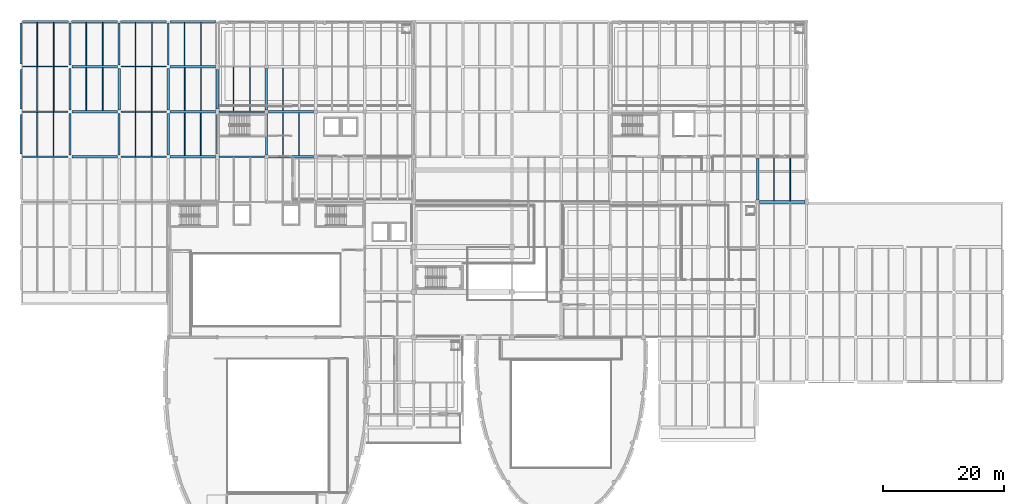
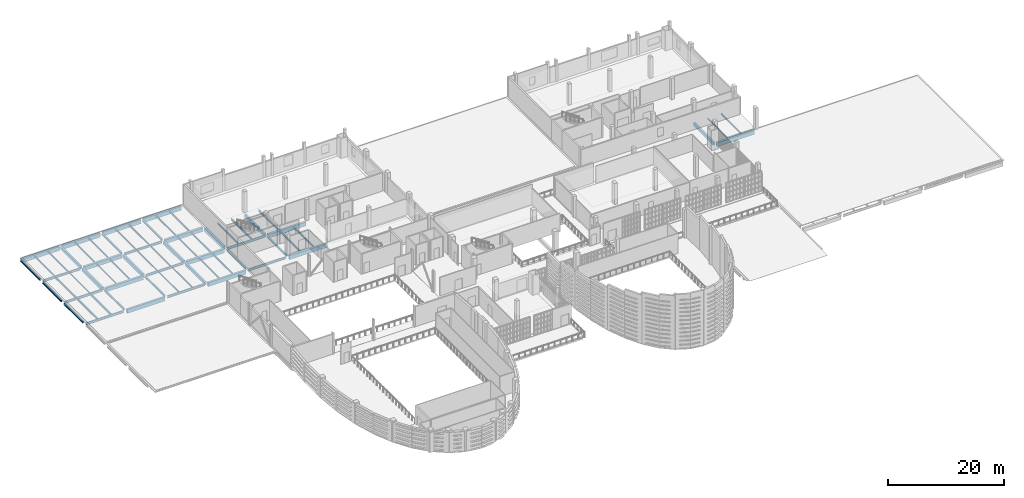
# One storey, part 31 of 73: 67 beams.
"""IFC4 building model written with IfcOpenShell, lengths in metres."""

from ifc_helpers import new_model, si_unit, direction, frame, origin, origin_2d, place, context, subcontext, project, spatial, rectangle, i_section, extrude, material, material_profile, profile_set, type_object, element, save


model = new_model("IFC4")

# Units and contexts
model_context = context("Model", 3, precision=1e-05, world=origin(), true_north=direction((0.0, 1.0)))
body_context = subcontext(model_context, "Body", "Model", "MODEL_VIEW")
ifc_project = project(units=[si_unit("LENGTHUNIT", "METRE"), si_unit("AREAUNIT", "SQUARE_METRE"), si_unit("VOLUMEUNIT", "CUBIC_METRE"), si_unit("PLANEANGLEUNIT", "RADIAN"), si_unit("MASSUNIT", "GRAM", prefix="KILO")], contexts=[model_context])

# Site, building, storey
site_placement = place(None, origin())
site = spatial("IfcSite", under=ifc_project, at=site_placement, CompositionType="ELEMENT")
building_placement = place(site_placement, origin())
building = spatial("IfcBuilding", under=site, at=building_placement, Name="Kaelora Sail Theatre", CompositionType="ELEMENT")
storey_placement = place(building_placement, frame((0.0, 0.0, 10.199951171875)))
storey = spatial("IfcBuildingStorey", under=building, at=storey_placement, Name="L02", CompositionType="ELEMENT", Elevation=10.199951171875)

# Beams
ifc_material_1 = material(Name="Steel S355", Category="steel")
ifc_material_profile_1 = material_profile(ifc_material_1, i_section(OverallWidth=0.300048828125, OverallDepth=0.31005859375, WebThickness=0.009033203125, FlangeThickness=0.015380859375, FilletRadius=0.027099609375, at=origin_2d()), Name="HEA 320")
ifc_profile_set_1 = profile_set([ifc_material_profile_1], Name="Steel S355")
beam_type_1 = type_object("IfcBeamType", Name="STR-BM-BM-HEA320", PredefinedType="BEAM", material=ifc_profile_set_1)
for number, where, z_axis, x_axis, name in (
    (1, (9.60009765625, 91.080078125, -0.449951171875), (0.0, 1.0, 0.0), (-1.0, 0.0, 0.0), "Primary beam 2 M-N (L02)"),
    (2, (17.699951171875, 91.080078125, -0.449951171875), (0.0, 1.0, 0.0), (-1.0, 0.0, 0.0), "Primary beam 3 M-N (L02)"),
):
    element("IfcBeam", number, at=place(storey_placement, frame(where, z_axis=z_axis, x_axis=x_axis)), inside=storey, type_object=beam_type_1, Name=name, PredefinedType="BEAM", context=body_context, shape_type="SweptSolid", body=[
        extrude(i_section(OverallWidth=0.300048828125, OverallDepth=0.31005859375, WebThickness=0.009033203125, FlangeThickness=0.015380859375, FilletRadius=0.027099609375, at=origin_2d()), origin(), (0.0, 0.0, 1.0), 6.83984375),
    ])
for number, where, z_axis, x_axis, name in (
    (3, (17.699951171875, 105.9599609375, -0.449951171875), (0.0, 1.0, 0.0), (-1.0, 0.0, 0.0), "Primary beam 3 O-P (L02)"),
    (4, (25.800048828125, 105.9599609375, -0.449951171875), (0.0, 1.0, 0.0), (-1.0, 0.0, 0.0), "Primary beam 4 O-P (L02)"),
):
    element("IfcBeam", number, at=place(storey_placement, frame(where, z_axis=z_axis, x_axis=x_axis)), inside=storey, type_object=beam_type_1, Name=name, PredefinedType="BEAM", context=body_context, shape_type="SweptSolid", body=[
        extrude(i_section(OverallWidth=0.300048828125, OverallDepth=0.31005859375, WebThickness=0.009033203125, FlangeThickness=0.015380859375, FilletRadius=0.027099609375, at=origin_2d()), origin(), (0.0, 0.0, 1.0), 6.89013671875),
    ])
beam_1_placement = place(storey_placement, frame((33.89990234375, 91.22998046875, -0.449951171875), z_axis=(0.0, 1.0, 0.0), x_axis=(-1.0, 0.0, 0.0)))
element("IfcBeam", 5, at=beam_1_placement, inside=storey, type_object=beam_type_1, Name="Primary beam 5 M-N (L02)", PredefinedType="BEAM", context=body_context, shape_type="SweptSolid", body=[
    extrude(i_section(OverallWidth=0.300048828125, OverallDepth=0.31005859375, WebThickness=0.009033203125, FlangeThickness=0.015380859375, FilletRadius=0.027099609375, at=origin_2d()), origin(), (0.0, 0.0, 1.0), 6.5400390625),
])
beam_2_placement = place(storey_placement, frame((42.0, 91.080078125, -0.449951171875), z_axis=(0.0, 1.0, 0.0), x_axis=(-1.0, 0.0, 0.0)))
element("IfcBeam", 6, at=beam_2_placement, inside=storey, type_object=beam_type_1, Name="Primary beam 6 M-N (L02)", PredefinedType="BEAM", context=body_context, shape_type="SweptSolid", body=[
    extrude(i_section(OverallWidth=0.300048828125, OverallDepth=0.31005859375, WebThickness=0.009033203125, FlangeThickness=0.015380859375, FilletRadius=0.027099609375, at=origin_2d()), origin(), (0.0, 0.0, 1.0), 6.83984375),
])
ifc_material_2 = material(Name="Steel S355", Category="steel")
ifc_material_profile_2 = material_profile(ifc_material_2, i_section(OverallWidth=0.18994140625, OverallDepth=0.449951171875, WebThickness=0.009521484375, FlangeThickness=0.0146484375, FilletRadius=0.02099609375, at=origin_2d()), Name="IPE 450")
ifc_profile_set_2 = profile_set([ifc_material_profile_2], Name="Steel S355")
beam_type_2 = type_object("IfcBeamType", Name="STR-BM-BM-IPE450", PredefinedType="BEAM", material=ifc_profile_set_2)
beam_3_placement = place(storey_placement, frame((6.89990234375, 90.8798828125, -0.52001953125), z_axis=(0.0, 1.0, 0.0), x_axis=(-1.0, 0.0, 0.0)))
element("IfcBeam", 7, at=beam_3_placement, inside=storey, type_object=beam_type_2, Name="Secondary floor joist 1/M-2 (L02)", PredefinedType="BEAM", context=body_context, shape_type="SweptSolid", body=[
    extrude(i_section(OverallWidth=0.18994140625, OverallDepth=0.449951171875, WebThickness=0.009521484375, FlangeThickness=0.0146484375, FilletRadius=0.02099609375, at=origin_2d()), origin(), (0.0, 0.0, 1.0), 7.240234375),
])
beam_4_placement = place(storey_placement, frame((4.199951171875, 98.320068359375, -0.52001953125), z_axis=(0.0, 1.0, 0.0), x_axis=(-1.0, 0.0, 0.0)))
element("IfcBeam", 8, at=beam_4_placement, inside=storey, type_object=beam_type_2, Name="Secondary floor joist 1/N-1 (L02)", PredefinedType="BEAM", context=body_context, shape_type="SweptSolid", body=[
    extrude(i_section(OverallWidth=0.18994140625, OverallDepth=0.449951171875, WebThickness=0.009521484375, FlangeThickness=0.0146484375, FilletRadius=0.02099609375, at=origin_2d()), origin(), (0.0, 0.0, 1.0), 7.239990234375),
])
ifc_material_3 = material(Name="Steel S355", Category="steel")
ifc_material_profile_3 = material_profile(ifc_material_3, i_section(OverallWidth=0.199951171875, OverallDepth=0.5, WebThickness=0.01025390625, FlangeThickness=0.01611328125, FilletRadius=0.02099609375, at=origin_2d()), Name="IPE 500")
ifc_profile_set_3 = profile_set([ifc_material_profile_3], Name="Steel S355")
beam_type_3 = type_object("IfcBeamType", Name="STR-BM-BM-IPE500", PredefinedType="BEAM", material=ifc_profile_set_3)
for number, where, z_axis, x_axis, name in (
    (9, (1.800048828125, 90.780029296875, -0.544921875), (1.0, 0.0, 0.0), (0.0, 1.0, 0.0), "Primary beam M 1-2 (L02)"),
    (10, (1.800048828125, 98.219970703125, -0.544921875), (1.0, 0.0, 0.0), (0.0, 1.0, 0.0), "Primary beam N 1-2 (L02)"),
    (11, (1.800048828125, 105.659912109375, -0.544921875), (1.0, 0.0, 0.0), (0.0, 1.0, 0.0), "Primary beam O 1-2 (L02)"),
    (12, (18.0, 90.780029296875, -0.544921875), (1.0, 0.0, 0.0), (0.0, 1.0, 0.0), "Primary beam M 3-4 (L02)"),
    (13, (18.0, 98.219970703125, -0.544921875), (1.0, 0.0, 0.0), (0.0, 1.0, 0.0), "Primary beam N 3-4 (L02)"),
    (14, (18.0, 105.659912109375, -0.544921875), (1.0, 0.0, 0.0), (0.0, 1.0, 0.0), "Primary beam O 3-4 (L02)"),
    (15, (34.199951171875, 90.780029296875, -0.544921875), (1.0, 0.0, 0.0), (0.0, 1.0, 0.0), "Primary beam M 5-6 (L02)"),
    (16, (34.199951171875, 98.219970703125, -0.544921875), (1.0, 0.0, 0.0), (0.0, 1.0, 0.0), "Primary beam N 5-6 (L02)"),
):
    element("IfcBeam", number, at=place(storey_placement, frame(where, z_axis=z_axis, x_axis=x_axis)), inside=storey, type_object=beam_type_3, Name=name, PredefinedType="BEAM", context=body_context, shape_type="SweptSolid", body=[
        extrude(i_section(OverallWidth=0.199951171875, OverallDepth=0.5, WebThickness=0.01025390625, FlangeThickness=0.01611328125, FilletRadius=0.02099609375, at=origin_2d()), origin(), (0.0, 0.0, 1.0), 7.5),
    ])
ifc_material_4 = material(Name="Concrete C40/50", Category="concrete")
ifc_material_profile_4 = material_profile(ifc_material_4, rectangle(XDim=0.35009765625, YDim=0.60009765625, at=origin_2d()), Name="RC-BM 350x600")
ifc_profile_set_4 = profile_set([ifc_material_profile_4], Name="Concrete C40/50")
beam_type_4 = type_object("IfcBeamType", Name="STR-BM-BM-RC3560", PredefinedType="BEAM", material=ifc_profile_set_4)
beam_5_placement = place(storey_placement, frame((9.60009765625, 105.9599609375, -0.594970703125), z_axis=(0.0, 1.0, 0.0), x_axis=(-1.0, 0.0, 0.0)))
element("IfcBeam", 17, at=beam_5_placement, inside=storey, type_object=beam_type_4, Name="Primary beam 2 O-P (L02)", PredefinedType="BEAM", context=body_context, shape_type="SweptSolid", body=[
    extrude(rectangle(XDim=0.35009765625, YDim=0.60009765625, at=origin_2d()), origin(), (0.0, 0.0, 1.0), 6.89013671875),
])
beam_6_placement = place(storey_placement, frame((25.800048828125, 91.080078125, -0.594970703125), z_axis=(0.0, 1.0, 0.0), x_axis=(-1.0, 0.0, 0.0)))
element("IfcBeam", 18, at=beam_6_placement, inside=storey, type_object=beam_type_4, Name="Primary beam 4 M-N (L02)", PredefinedType="BEAM", context=body_context, shape_type="SweptSolid", body=[
    extrude(rectangle(XDim=0.35009765625, YDim=0.60009765625, at=origin_2d()), origin(), (0.0, 0.0, 1.0), 6.83984375),
])
ifc_material_5 = material(Name="Concrete C40/50", Category="concrete")
ifc_material_profile_5 = material_profile(ifc_material_5, rectangle(XDim=0.39990234375, YDim=0.64990234375, at=origin_2d()), Name="RC-BM 400x650")
ifc_profile_set_5 = profile_set([ifc_material_profile_5], Name="Concrete C40/50")
beam_type_5 = type_object("IfcBeamType", Name="STR-BM-BM-RC4065", PredefinedType="BEAM", material=ifc_profile_set_5)
for number, where, z_axis, x_axis, name in (
    (19, (9.60009765625, 98.52001953125, -0.619873046875), (0.0, 1.0, 0.0), (-1.0, 0.0, 0.0), "Primary beam 2 N-O (L02)"),
    (20, (17.699951171875, 98.52001953125, -0.619873046875), (0.0, 1.0, 0.0), (-1.0, 0.0, 0.0), "Primary beam 3 N-O (L02)"),
    (21, (25.800048828125, 98.52001953125, -0.619873046875), (0.0, 1.0, 0.0), (-1.0, 0.0, 0.0), "Primary beam 4 N-O (L02)"),
):
    element("IfcBeam", number, at=place(storey_placement, frame(where, z_axis=z_axis, x_axis=x_axis)), inside=storey, type_object=beam_type_5, Name=name, PredefinedType="BEAM", context=body_context, shape_type="SweptSolid", body=[
        extrude(rectangle(XDim=0.39990234375, YDim=0.64990234375, at=origin_2d()), origin(), (0.0, 0.0, 1.0), 6.840087890625),
    ])
beam_7_placement = place(storey_placement, frame((33.89990234375, 98.669921875, -0.619873046875), z_axis=(0.0, 1.0, 0.0), x_axis=(-1.0, 0.0, 0.0)))
element("IfcBeam", 22, at=beam_7_placement, inside=storey, type_object=beam_type_5, Name="Primary beam 5 N-O (L02)", PredefinedType="BEAM", context=body_context, shape_type="SweptSolid", body=[
    extrude(rectangle(XDim=0.39990234375, YDim=0.64990234375, at=origin_2d()), origin(), (0.0, 0.0, 1.0), 6.5400390625),
])
for number, where, z_axis, x_axis, name in (
    (23, (42.0, 98.52001953125, -0.619873046875), (0.0, 1.0, 0.0), (-1.0, 0.0, 0.0), "Primary beam 6 N-O (L02)"),
    (24, (123.0, 83.639892578125, -0.619873046875), (0.0, 1.0, 0.0), (-1.0, 0.0, 0.0), "Primary beam 16 L-M (L02)"),
):
    element("IfcBeam", number, at=place(storey_placement, frame(where, z_axis=z_axis, x_axis=x_axis)), inside=storey, type_object=beam_type_5, Name=name, PredefinedType="BEAM", context=body_context, shape_type="SweptSolid", body=[
        extrude(rectangle(XDim=0.39990234375, YDim=0.64990234375, at=origin_2d()), origin(), (0.0, 0.0, 1.0), 6.840087890625),
    ])
ifc_material_6 = material(Name="Concrete C45/55", Category="concrete")
ifc_material_profile_6 = material_profile(ifc_material_6, rectangle(XDim=0.449951171875, YDim=0.800048828125, at=origin_2d()), Name="RC-BM 450x800")
ifc_profile_set_6 = profile_set([ifc_material_profile_6], Name="Concrete C45/55")
beam_type_6 = type_object("IfcBeamType", Name="STR-BM-BM-RC4580", PredefinedType="BEAM", material=ifc_profile_set_6)
for number, where, z_axis, x_axis, name in (
    (25, (9.89990234375, 90.780029296875, -0.695068359375), (1.0, 0.0, 0.0), (0.0, 1.0, 0.0), "Primary beam M 2-3 (L02)"),
    (26, (9.89990234375, 98.219970703125, -0.695068359375), (1.0, 0.0, 0.0), (0.0, 1.0, 0.0), "Primary beam N 2-3 (L02)"),
    (27, (9.89990234375, 105.659912109375, -0.695068359375), (1.0, 0.0, 0.0), (0.0, 1.0, 0.0), "Primary beam O 2-3 (L02)"),
    (28, (26.10009765625, 90.780029296875, -0.695068359375), (1.0, 0.0, 0.0), (0.0, 1.0, 0.0), "Primary beam M 4-5 (L02)"),
    (29, (26.10009765625, 98.219970703125, -0.695068359375), (1.0, 0.0, 0.0), (0.0, 1.0, 0.0), "Primary beam N 4-5 (L02)"),
    (30, (26.10009765625, 105.659912109375, -0.695068359375), (1.0, 0.0, 0.0), (0.0, 1.0, 0.0), "Primary beam O 4-5 (L02)"),
    (31, (42.300048828125, 90.780029296875, -0.695068359375), (1.0, 0.0, 0.0), (0.0, 1.0, 0.0), "Primary beam M 6-7 (L02)"),
    (32, (42.300048828125, 98.219970703125, -0.695068359375), (1.0, 0.0, 0.0), (0.0, 1.0, 0.0), "Primary beam N 6-7 (L02)"),
    (33, (123.300048828125, 83.340087890625, -0.695068359375), (1.0, 0.0, 0.0), (0.0, 1.0, 0.0), "Primary beam L 16-17 (L02)"),
):
    element("IfcBeam", number, at=place(storey_placement, frame(where, z_axis=z_axis, x_axis=x_axis)), inside=storey, type_object=beam_type_6, Name=name, PredefinedType="BEAM", context=body_context, shape_type="SweptSolid", body=[
        extrude(rectangle(XDim=0.449951171875, YDim=0.800048828125, at=origin_2d()), origin(), (0.0, 0.0, 1.0), 7.5),
    ])
ifc_material_7 = material(Name="Steel S355", Category="steel")
ifc_material_profile_7 = material_profile(ifc_material_7, i_section(OverallWidth=0.135009765625, OverallDepth=0.27001953125, WebThickness=0.006591796875, FlangeThickness=0.01025390625, FilletRadius=0.014892578125, at=origin_2d()), Name="IPE 270")
ifc_profile_set_7 = profile_set([ifc_material_profile_7], Name="Steel S355")
beam_type_7 = type_object("IfcBeamType", Name="STR-BM-JS-IPE270", PredefinedType="JOIST", material=ifc_profile_set_7)
beam_8_placement = place(storey_placement, frame((6.89990234375, 98.320068359375, -0.429931640625), z_axis=(0.0, 1.0, 0.0), x_axis=(-1.0, 0.0, 0.0)))
element("IfcBeam", 34, at=beam_8_placement, inside=storey, type_object=beam_type_7, Name="Secondary floor joist 1/N-2 (L02)", PredefinedType="JOIST", context=body_context, shape_type="SweptSolid", body=[
    extrude(i_section(OverallWidth=0.135009765625, OverallDepth=0.27001953125, WebThickness=0.006591796875, FlangeThickness=0.01025390625, FilletRadius=0.014892578125, at=origin_2d()), origin(), (0.0, 0.0, 1.0), 7.239990234375),
])
beam_9_placement = place(storey_placement, frame((4.199951171875, 105.760009765625, -0.429931640625), z_axis=(0.0, 1.0, 0.0), x_axis=(-1.0, 0.0, 0.0)))
element("IfcBeam", 35, at=beam_9_placement, inside=storey, type_object=beam_type_7, Name="Secondary floor joist 1/O-1 (L02)", PredefinedType="JOIST", context=body_context, shape_type="SweptSolid", body=[
    extrude(i_section(OverallWidth=0.135009765625, OverallDepth=0.27001953125, WebThickness=0.006591796875, FlangeThickness=0.01025390625, FilletRadius=0.014892578125, at=origin_2d()), origin(), (0.0, 0.0, 1.0), 7.139892578125),
])
beam_10_placement = place(storey_placement, frame((12.300048828125, 98.445068359375, -0.429931640625), z_axis=(0.0, 1.0, 0.0), x_axis=(-1.0, 0.0, 0.0)))
element("IfcBeam", 36, at=beam_10_placement, inside=storey, type_object=beam_type_7, Name="Secondary floor joist 2/N-1 (L02)", PredefinedType="JOIST", context=body_context, shape_type="SweptSolid", body=[
    extrude(i_section(OverallWidth=0.135009765625, OverallDepth=0.27001953125, WebThickness=0.006591796875, FlangeThickness=0.01025390625, FilletRadius=0.014892578125, at=origin_2d()), origin(), (0.0, 0.0, 1.0), 6.989990234375),
])
beam_11_placement = place(storey_placement, frame((20.39990234375, 90.8798828125, -0.429931640625), z_axis=(0.0, 1.0, 0.0), x_axis=(-1.0, 0.0, 0.0)))
element("IfcBeam", 37, at=beam_11_placement, inside=storey, type_object=beam_type_7, Name="Secondary floor joist 3/M-1 (L02)", PredefinedType="JOIST", context=body_context, shape_type="SweptSolid", body=[
    extrude(i_section(OverallWidth=0.135009765625, OverallDepth=0.27001953125, WebThickness=0.006591796875, FlangeThickness=0.01025390625, FilletRadius=0.014892578125, at=origin_2d()), origin(), (0.0, 0.0, 1.0), 7.240234375),
])
beam_12_placement = place(storey_placement, frame((125.699951171875, 83.56494140625, -0.429931640625), z_axis=(0.0, 1.0, 0.0), x_axis=(-1.0, 0.0, 0.0)))
element("IfcBeam", 38, at=beam_12_placement, inside=storey, type_object=beam_type_7, Name="Secondary floor joist 16/L-1 (L02)", PredefinedType="JOIST", context=body_context, shape_type="SweptSolid", body=[
    extrude(i_section(OverallWidth=0.135009765625, OverallDepth=0.27001953125, WebThickness=0.006591796875, FlangeThickness=0.01025390625, FilletRadius=0.014892578125, at=origin_2d()), origin(), (0.0, 0.0, 1.0), 6.989990234375),
])
ifc_material_8 = material(Name="Steel S355", Category="steel")
ifc_material_profile_8 = material_profile(ifc_material_8, i_section(OverallWidth=0.14990234375, OverallDepth=0.300048828125, WebThickness=0.007080078125, FlangeThickness=0.0107421875, FilletRadius=0.014892578125, at=origin_2d()), Name="IPE 300")
ifc_profile_set_8 = profile_set([ifc_material_profile_8], Name="Steel S355")
beam_type_8 = type_object("IfcBeamType", Name="STR-BM-JS-IPE300", PredefinedType="JOIST", material=ifc_profile_set_8)
beam_13_placement = place(storey_placement, frame((6.89990234375, 105.760009765625, -0.445068359375), z_axis=(0.0, 1.0, 0.0), x_axis=(-1.0, 0.0, 0.0)))
element("IfcBeam", 39, at=beam_13_placement, inside=storey, type_object=beam_type_8, Name="Secondary floor joist 1/O-2 (L02)", PredefinedType="JOIST", context=body_context, shape_type="SweptSolid", body=[
    extrude(i_section(OverallWidth=0.14990234375, OverallDepth=0.300048828125, WebThickness=0.007080078125, FlangeThickness=0.0107421875, FilletRadius=0.014892578125, at=origin_2d()), origin(), (0.0, 0.0, 1.0), 7.139892578125),
])
beam_14_placement = place(storey_placement, frame((15.0, 98.445068359375, -0.445068359375), z_axis=(0.0, 1.0, 0.0), x_axis=(-1.0, 0.0, 0.0)))
element("IfcBeam", 40, at=beam_14_placement, inside=storey, type_object=beam_type_8, Name="Secondary floor joist 2/N-2 (L02)", PredefinedType="JOIST", context=body_context, shape_type="SweptSolid", body=[
    extrude(i_section(OverallWidth=0.14990234375, OverallDepth=0.300048828125, WebThickness=0.007080078125, FlangeThickness=0.0107421875, FilletRadius=0.014892578125, at=origin_2d()), origin(), (0.0, 0.0, 1.0), 6.989990234375),
])
beam_15_placement = place(storey_placement, frame((12.300048828125, 105.885009765625, -0.445068359375), z_axis=(0.0, 1.0, 0.0), x_axis=(-1.0, 0.0, 0.0)))
element("IfcBeam", 41, at=beam_15_placement, inside=storey, type_object=beam_type_8, Name="Secondary floor joist 2/O-1 (L02)", PredefinedType="JOIST", context=body_context, shape_type="SweptSolid", body=[
    extrude(i_section(OverallWidth=0.14990234375, OverallDepth=0.300048828125, WebThickness=0.007080078125, FlangeThickness=0.0107421875, FilletRadius=0.014892578125, at=origin_2d()), origin(), (0.0, 0.0, 1.0), 7.014892578125),
])
beam_16_placement = place(storey_placement, frame((23.10009765625, 90.8798828125, -0.445068359375), z_axis=(0.0, 1.0, 0.0), x_axis=(-1.0, 0.0, 0.0)))
element("IfcBeam", 42, at=beam_16_placement, inside=storey, type_object=beam_type_8, Name="Secondary floor joist 3/M-2 (L02)", PredefinedType="JOIST", context=body_context, shape_type="SweptSolid", body=[
    extrude(i_section(OverallWidth=0.14990234375, OverallDepth=0.300048828125, WebThickness=0.007080078125, FlangeThickness=0.0107421875, FilletRadius=0.014892578125, at=origin_2d()), origin(), (0.0, 0.0, 1.0), 7.240234375),
])
beam_17_placement = place(storey_placement, frame((20.39990234375, 98.320068359375, -0.445068359375), z_axis=(0.0, 1.0, 0.0), x_axis=(-1.0, 0.0, 0.0)))
element("IfcBeam", 43, at=beam_17_placement, inside=storey, type_object=beam_type_8, Name="Secondary floor joist 3/N-1 (L02)", PredefinedType="JOIST", context=body_context, shape_type="SweptSolid", body=[
    extrude(i_section(OverallWidth=0.14990234375, OverallDepth=0.300048828125, WebThickness=0.007080078125, FlangeThickness=0.0107421875, FilletRadius=0.014892578125, at=origin_2d()), origin(), (0.0, 0.0, 1.0), 7.239990234375),
])
beam_18_placement = place(storey_placement, frame((28.5, 91.0048828125, -0.445068359375), z_axis=(0.0, 1.0, 0.0), x_axis=(-1.0, 0.0, 0.0)))
element("IfcBeam", 44, at=beam_18_placement, inside=storey, type_object=beam_type_8, Name="Secondary floor joist 4/M-1 (L02)", PredefinedType="JOIST", context=body_context, shape_type="SweptSolid", body=[
    extrude(i_section(OverallWidth=0.14990234375, OverallDepth=0.300048828125, WebThickness=0.007080078125, FlangeThickness=0.0107421875, FilletRadius=0.014892578125, at=origin_2d()), origin(), (0.0, 0.0, 1.0), 6.990234375),
])
beam_19_placement = place(storey_placement, frame((128.39990234375, 83.56494140625, -0.445068359375), z_axis=(0.0, 1.0, 0.0), x_axis=(-1.0, 0.0, 0.0)))
element("IfcBeam", 45, at=beam_19_placement, inside=storey, type_object=beam_type_8, Name="Secondary floor joist 16/L-2 (L02)", PredefinedType="JOIST", context=body_context, shape_type="SweptSolid", body=[
    extrude(i_section(OverallWidth=0.14990234375, OverallDepth=0.300048828125, WebThickness=0.007080078125, FlangeThickness=0.0107421875, FilletRadius=0.014892578125, at=origin_2d()), origin(), (0.0, 0.0, 1.0), 6.989990234375),
])
ifc_material_9 = material(Name="Steel S355", Category="steel")
ifc_material_profile_9 = material_profile(ifc_material_9, i_section(OverallWidth=0.159912109375, OverallDepth=0.330078125, WebThickness=0.007568359375, FlangeThickness=0.011474609375, FilletRadius=0.01806640625, at=origin_2d()), Name="IPE 330")
ifc_profile_set_9 = profile_set([ifc_material_profile_9], Name="Steel S355")
beam_type_9 = type_object("IfcBeamType", Name="STR-BM-JS-IPE330", PredefinedType="JOIST", material=ifc_profile_set_9)
beam_20_placement = place(storey_placement, frame((15.0, 105.885009765625, -0.4599609375), z_axis=(0.0, 1.0, 0.0), x_axis=(-1.0, 0.0, 0.0)))
element("IfcBeam", 46, at=beam_20_placement, inside=storey, type_object=beam_type_9, Name="Secondary floor joist 2/O-2 (L02)", PredefinedType="JOIST", context=body_context, shape_type="SweptSolid", body=[
    extrude(i_section(OverallWidth=0.159912109375, OverallDepth=0.330078125, WebThickness=0.007568359375, FlangeThickness=0.011474609375, FilletRadius=0.01806640625, at=origin_2d()), origin(), (0.0, 0.0, 1.0), 7.014892578125),
])
beam_21_placement = place(storey_placement, frame((23.10009765625, 98.320068359375, -0.4599609375), z_axis=(0.0, 1.0, 0.0), x_axis=(-1.0, 0.0, 0.0)))
element("IfcBeam", 47, at=beam_21_placement, inside=storey, type_object=beam_type_9, Name="Secondary floor joist 3/N-2 (L02)", PredefinedType="JOIST", context=body_context, shape_type="SweptSolid", body=[
    extrude(i_section(OverallWidth=0.159912109375, OverallDepth=0.330078125, WebThickness=0.007568359375, FlangeThickness=0.011474609375, FilletRadius=0.01806640625, at=origin_2d()), origin(), (0.0, 0.0, 1.0), 7.239990234375),
])
beam_22_placement = place(storey_placement, frame((20.39990234375, 105.760009765625, -0.4599609375), z_axis=(0.0, 1.0, 0.0), x_axis=(-1.0, 0.0, 0.0)))
element("IfcBeam", 48, at=beam_22_placement, inside=storey, type_object=beam_type_9, Name="Secondary floor joist 3/O-1 (L02)", PredefinedType="JOIST", context=body_context, shape_type="SweptSolid", body=[
    extrude(i_section(OverallWidth=0.159912109375, OverallDepth=0.330078125, WebThickness=0.007568359375, FlangeThickness=0.011474609375, FilletRadius=0.01806640625, at=origin_2d()), origin(), (0.0, 0.0, 1.0), 7.139892578125),
])
beam_23_placement = place(storey_placement, frame((31.199951171875, 91.0048828125, -0.4599609375), z_axis=(0.0, 1.0, 0.0), x_axis=(-1.0, 0.0, 0.0)))
element("IfcBeam", 49, at=beam_23_placement, inside=storey, type_object=beam_type_9, Name="Secondary floor joist 4/M-2 (L02)", PredefinedType="JOIST", context=body_context, shape_type="SweptSolid", body=[
    extrude(i_section(OverallWidth=0.159912109375, OverallDepth=0.330078125, WebThickness=0.007568359375, FlangeThickness=0.011474609375, FilletRadius=0.01806640625, at=origin_2d()), origin(), (0.0, 0.0, 1.0), 6.990234375),
])
beam_24_placement = place(storey_placement, frame((28.5, 98.445068359375, -0.4599609375), z_axis=(0.0, 1.0, 0.0), x_axis=(-1.0, 0.0, 0.0)))
element("IfcBeam", 50, at=beam_24_placement, inside=storey, type_object=beam_type_9, Name="Secondary floor joist 4/N-1 (L02)", PredefinedType="JOIST", context=body_context, shape_type="SweptSolid", body=[
    extrude(i_section(OverallWidth=0.159912109375, OverallDepth=0.330078125, WebThickness=0.007568359375, FlangeThickness=0.011474609375, FilletRadius=0.01806640625, at=origin_2d()), origin(), (0.0, 0.0, 1.0), 6.989990234375),
])
ifc_material_10 = material(Name="Steel S355", Category="steel")
ifc_material_profile_10 = material_profile(ifc_material_10, i_section(OverallWidth=0.169921875, OverallDepth=0.360107421875, WebThickness=0.008056640625, FlangeThickness=0.0126953125, FilletRadius=0.01806640625, at=origin_2d()), Name="IPE 360")
ifc_profile_set_10 = profile_set([ifc_material_profile_10], Name="Steel S355")
beam_type_10 = type_object("IfcBeamType", Name="STR-BM-JS-IPE360", PredefinedType="JOIST", material=ifc_profile_set_10)
beam_25_placement = place(storey_placement, frame((23.10009765625, 105.760009765625, -0.474853515625), z_axis=(0.0, 1.0, 0.0), x_axis=(-1.0, 0.0, 0.0)))
element("IfcBeam", 51, at=beam_25_placement, inside=storey, type_object=beam_type_10, Name="Secondary floor joist 3/O-2 (L02)", PredefinedType="JOIST", context=body_context, shape_type="SweptSolid", body=[
    extrude(i_section(OverallWidth=0.169921875, OverallDepth=0.360107421875, WebThickness=0.008056640625, FlangeThickness=0.0126953125, FilletRadius=0.01806640625, at=origin_2d()), origin(), (0.0, 0.0, 1.0), 7.139892578125),
])
beam_26_placement = place(storey_placement, frame((31.199951171875, 98.445068359375, -0.474853515625), z_axis=(0.0, 1.0, 0.0), x_axis=(-1.0, 0.0, 0.0)))
element("IfcBeam", 52, at=beam_26_placement, inside=storey, type_object=beam_type_10, Name="Secondary floor joist 4/N-2 (L02)", PredefinedType="JOIST", context=body_context, shape_type="SweptSolid", body=[
    extrude(i_section(OverallWidth=0.169921875, OverallDepth=0.360107421875, WebThickness=0.008056640625, FlangeThickness=0.0126953125, FilletRadius=0.01806640625, at=origin_2d()), origin(), (0.0, 0.0, 1.0), 6.989990234375),
])
beam_27_placement = place(storey_placement, frame((28.5, 105.885009765625, -0.474853515625), z_axis=(0.0, 1.0, 0.0), x_axis=(-1.0, 0.0, 0.0)))
element("IfcBeam", 53, at=beam_27_placement, inside=storey, type_object=beam_type_10, Name="Secondary floor joist 4/O-1 (L02)", PredefinedType="JOIST", context=body_context, shape_type="SweptSolid", body=[
    extrude(i_section(OverallWidth=0.169921875, OverallDepth=0.360107421875, WebThickness=0.008056640625, FlangeThickness=0.0126953125, FilletRadius=0.01806640625, at=origin_2d()), origin(), (0.0, 0.0, 1.0), 7.014892578125),
])
beam_28_placement = place(storey_placement, frame((36.60009765625, 98.320068359375, -0.474853515625), z_axis=(0.0, 1.0, 0.0), x_axis=(-1.0, 0.0, 0.0)))
element("IfcBeam", 54, at=beam_28_placement, inside=storey, type_object=beam_type_10, Name="Secondary floor joist 5/N-1 (L02)", PredefinedType="JOIST", context=body_context, shape_type="SweptSolid", body=[
    extrude(i_section(OverallWidth=0.169921875, OverallDepth=0.360107421875, WebThickness=0.008056640625, FlangeThickness=0.0126953125, FilletRadius=0.01806640625, at=origin_2d()), origin(), (0.0, 0.0, 1.0), 7.239990234375),
])
beam_29_placement = place(storey_placement, frame((44.699951171875, 91.0048828125, -0.474853515625), z_axis=(0.0, 1.0, 0.0), x_axis=(-1.0, 0.0, 0.0)))
element("IfcBeam", 55, at=beam_29_placement, inside=storey, type_object=beam_type_10, Name="Secondary floor joist 6/M-1 (L02)", PredefinedType="JOIST", context=body_context, shape_type="SweptSolid", body=[
    extrude(i_section(OverallWidth=0.169921875, OverallDepth=0.360107421875, WebThickness=0.008056640625, FlangeThickness=0.0126953125, FilletRadius=0.01806640625, at=origin_2d()), origin(), (0.0, 0.0, 1.0), 6.990234375),
])
ifc_material_11 = material(Name="Steel S355", Category="steel")
ifc_material_profile_11 = material_profile(ifc_material_11, i_section(OverallWidth=0.179931640625, OverallDepth=0.39990234375, WebThickness=0.008544921875, FlangeThickness=0.013427734375, FilletRadius=0.02099609375, at=origin_2d()), Name="IPE 400")
ifc_profile_set_11 = profile_set([ifc_material_profile_11], Name="Steel S355")
beam_type_11 = type_object("IfcBeamType", Name="STR-BM-JS-IPE400", PredefinedType="JOIST", material=ifc_profile_set_11)
beam_30_placement = place(storey_placement, frame((4.199951171875, 90.8798828125, -0.494873046875), z_axis=(0.0, 1.0, 0.0), x_axis=(-1.0, 0.0, 0.0)))
element("IfcBeam", 56, at=beam_30_placement, inside=storey, type_object=beam_type_11, Name="Secondary floor joist 1/M-1 (L02)", PredefinedType="JOIST", context=body_context, shape_type="SweptSolid", body=[
    extrude(i_section(OverallWidth=0.179931640625, OverallDepth=0.39990234375, WebThickness=0.008544921875, FlangeThickness=0.013427734375, FilletRadius=0.02099609375, at=origin_2d()), origin(), (0.0, 0.0, 1.0), 7.240234375),
])
beam_31_placement = place(storey_placement, frame((31.199951171875, 105.885009765625, -0.494873046875), z_axis=(0.0, 1.0, 0.0), x_axis=(-1.0, 0.0, 0.0)))
element("IfcBeam", 57, at=beam_31_placement, inside=storey, type_object=beam_type_11, Name="Secondary floor joist 4/O-2 (L02)", PredefinedType="JOIST", context=body_context, shape_type="SweptSolid", body=[
    extrude(i_section(OverallWidth=0.179931640625, OverallDepth=0.39990234375, WebThickness=0.008544921875, FlangeThickness=0.013427734375, FilletRadius=0.02099609375, at=origin_2d()), origin(), (0.0, 0.0, 1.0), 7.014892578125),
])
beam_32_placement = place(storey_placement, frame((39.300048828125, 98.320068359375, -0.494873046875), z_axis=(0.0, 1.0, 0.0), x_axis=(-1.0, 0.0, 0.0)))
element("IfcBeam", 58, at=beam_32_placement, inside=storey, type_object=beam_type_11, Name="Secondary floor joist 5/N-2 (L02)", PredefinedType="JOIST", context=body_context, shape_type="SweptSolid", body=[
    extrude(i_section(OverallWidth=0.179931640625, OverallDepth=0.39990234375, WebThickness=0.008544921875, FlangeThickness=0.013427734375, FilletRadius=0.02099609375, at=origin_2d()), origin(), (0.0, 0.0, 1.0), 7.239990234375),
])
beam_33_placement = place(storey_placement, frame((47.39990234375, 91.0048828125, -0.494873046875), z_axis=(0.0, 1.0, 0.0), x_axis=(-1.0, 0.0, 0.0)))
element("IfcBeam", 59, at=beam_33_placement, inside=storey, type_object=beam_type_11, Name="Secondary floor joist 6/M-2 (L02)", PredefinedType="JOIST", context=body_context, shape_type="SweptSolid", body=[
    extrude(i_section(OverallWidth=0.179931640625, OverallDepth=0.39990234375, WebThickness=0.008544921875, FlangeThickness=0.013427734375, FilletRadius=0.02099609375, at=origin_2d()), origin(), (0.0, 0.0, 1.0), 6.990234375),
])
beam_34_placement = place(storey_placement, frame((44.699951171875, 98.445068359375, -0.494873046875), z_axis=(0.0, 1.0, 0.0), x_axis=(-1.0, 0.0, 0.0)))
element("IfcBeam", 60, at=beam_34_placement, inside=storey, type_object=beam_type_11, Name="Secondary floor joist 6/N-1 (L02)", PredefinedType="JOIST", context=body_context, shape_type="SweptSolid", body=[
    extrude(i_section(OverallWidth=0.179931640625, OverallDepth=0.39990234375, WebThickness=0.008544921875, FlangeThickness=0.013427734375, FilletRadius=0.02099609375, at=origin_2d()), origin(), (0.0, 0.0, 1.0), 6.989990234375),
])
ifc_material_12 = material(Name="Steel S355", Category="steel")
ifc_material_profile_12 = material_profile(ifc_material_12, i_section(OverallWidth=0.300048828125, OverallDepth=0.300048828125, WebThickness=0.010986328125, FlangeThickness=0.01904296875, FilletRadius=0.027099609375, at=origin_2d()), Name="HEB 300")
ifc_profile_set_12 = profile_set([ifc_material_profile_12], Name="Steel S355")
beam_type_12 = type_object("IfcBeamType", Name="STR-BM-SP-HEB300", PredefinedType="SPANDREL", material=ifc_profile_set_12)
for number, where, z_axis, x_axis, name in (
    (61, (1.5, 91.22998046875, -0.445068359375), (0.0, 1.0, 0.0), (-1.0, 0.0, 0.0), "Primary beam 1 M-N (L02)"),
    (62, (1.5, 98.669921875, -0.445068359375), (0.0, 1.0, 0.0), (-1.0, 0.0, 0.0), "Primary beam 1 N-O (L02)"),
):
    element("IfcBeam", number, at=place(storey_placement, frame(where, z_axis=z_axis, x_axis=x_axis)), inside=storey, type_object=beam_type_12, Name=name, PredefinedType="SPANDREL", context=body_context, shape_type="SweptSolid", body=[
        extrude(i_section(OverallWidth=0.300048828125, OverallDepth=0.300048828125, WebThickness=0.010986328125, FlangeThickness=0.01904296875, FilletRadius=0.027099609375, at=origin_2d()), origin(), (0.0, 0.0, 1.0), 6.5400390625),
    ])
beam_35_placement = place(storey_placement, frame((1.5, 106.110107421875, -0.445068359375), z_axis=(0.0, 1.0, 0.0), x_axis=(-1.0, 0.0, 0.0)))
element("IfcBeam", 63, at=beam_35_placement, inside=storey, type_object=beam_type_12, Name="Primary beam 1 O-P (L02)", PredefinedType="SPANDREL", context=body_context, shape_type="SweptSolid", body=[
    extrude(i_section(OverallWidth=0.300048828125, OverallDepth=0.300048828125, WebThickness=0.010986328125, FlangeThickness=0.01904296875, FilletRadius=0.027099609375, at=origin_2d()), origin(), (0.0, 0.0, 1.0), 6.739990234375),
])
ifc_material_13 = material(Name="Concrete C45/55", Category="concrete")
ifc_material_profile_13 = material_profile(ifc_material_13, rectangle(XDim=0.39990234375, YDim=0.85009765625, at=origin_2d()), Name="RC-SPN 400x850")
ifc_profile_set_13 = profile_set([ifc_material_profile_13], Name="Concrete C45/55")
beam_type_13 = type_object("IfcBeamType", Name="STR-BM-SP-RC4085", PredefinedType="SPANDREL", material=ifc_profile_set_13)
beam_36_placement = place(storey_placement, frame((1.75, 113.10009765625, -0.719970703125), z_axis=(1.0, 0.0, 0.0), x_axis=(0.0, 1.0, 0.0)))
element("IfcBeam", 64, at=beam_36_placement, inside=storey, type_object=beam_type_13, Name="Primary beam P 1-2 (L02)", PredefinedType="SPANDREL", context=body_context, shape_type="SweptSolid", body=[
    extrude(rectangle(XDim=0.39990234375, YDim=0.85009765625, at=origin_2d()), origin(), (0.0, 0.0, 1.0), 7.60009765625),
])
beam_37_placement = place(storey_placement, frame((9.85009765625, 113.10009765625, -0.719970703125), z_axis=(1.0, 0.0, 0.0), x_axis=(0.0, 1.0, 0.0)))
element("IfcBeam", 65, at=beam_37_placement, inside=storey, type_object=beam_type_13, Name="Primary beam P 2-3 (L02)", PredefinedType="SPANDREL", context=body_context, shape_type="SweptSolid", body=[
    extrude(rectangle(XDim=0.39990234375, YDim=0.85009765625, at=origin_2d()), origin(), (0.0, 0.0, 1.0), 7.599853515625),
])
beam_38_placement = place(storey_placement, frame((17.949951171875, 113.10009765625, -0.719970703125), z_axis=(1.0, 0.0, 0.0), x_axis=(0.0, 1.0, 0.0)))
element("IfcBeam", 66, at=beam_38_placement, inside=storey, type_object=beam_type_13, Name="Primary beam P 3-4 (L02)", PredefinedType="SPANDREL", context=body_context, shape_type="SweptSolid", body=[
    extrude(rectangle(XDim=0.39990234375, YDim=0.85009765625, at=origin_2d()), origin(), (0.0, 0.0, 1.0), 7.60009765625),
])
beam_39_placement = place(storey_placement, frame((26.050048828125, 113.10009765625, -0.719970703125), z_axis=(1.0, 0.0, 0.0), x_axis=(0.0, 1.0, 0.0)))
element("IfcBeam", 67, at=beam_39_placement, inside=storey, type_object=beam_type_13, Name="Primary beam P 4-5 (L02)", PredefinedType="SPANDREL", context=body_context, shape_type="SweptSolid", body=[
    extrude(rectangle(XDim=0.39990234375, YDim=0.85009765625, at=origin_2d()), origin(), (0.0, 0.0, 1.0), 7.599853515625),
])

save(model, "model.ifc")
